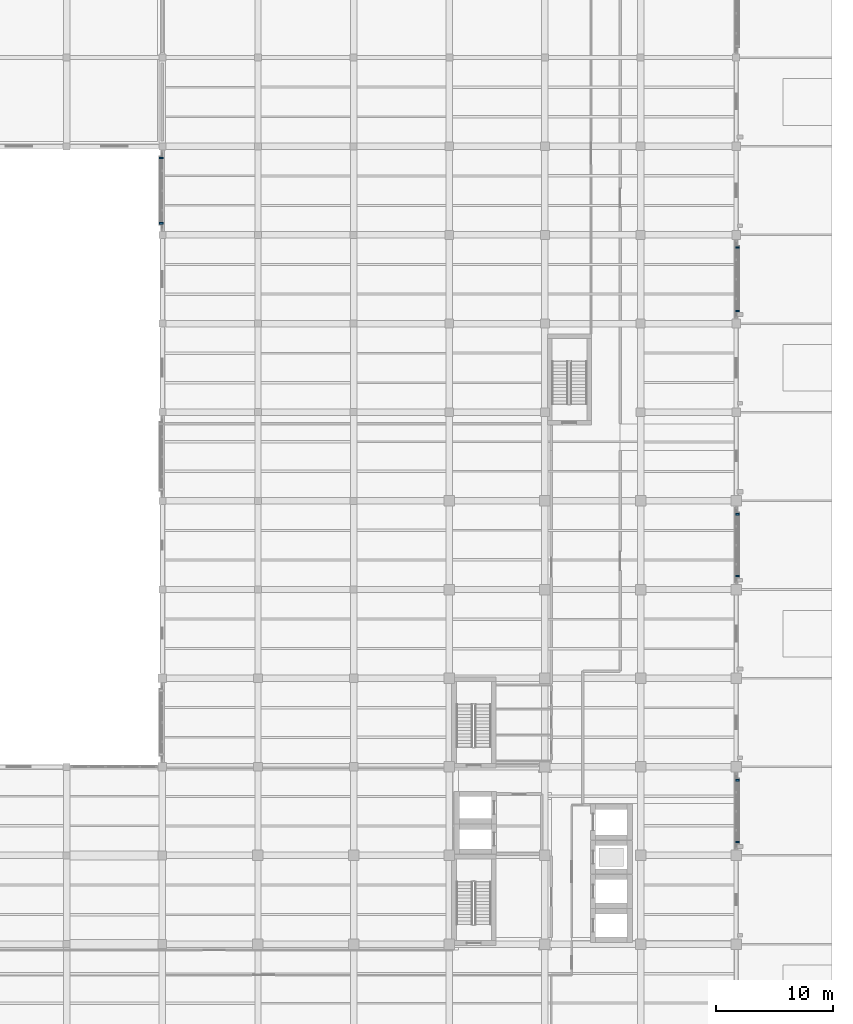
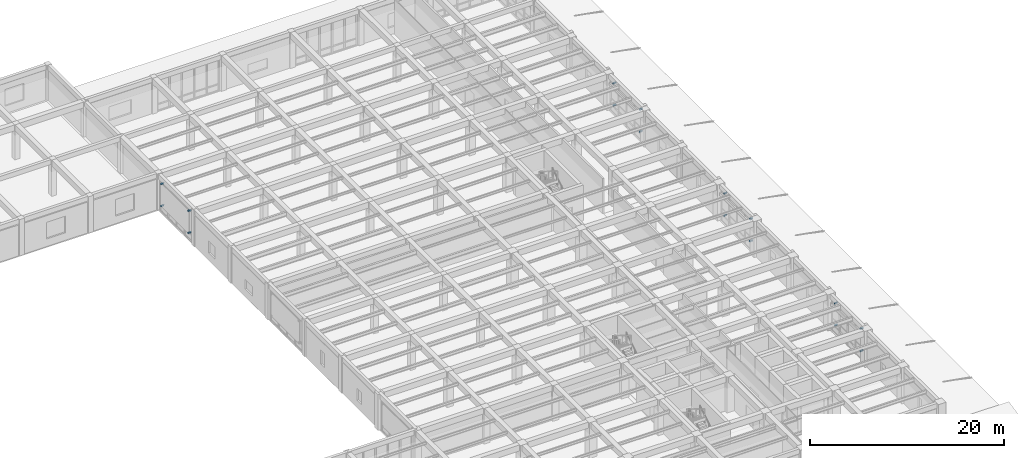
# One storey, part 48 of 57: 16 discrete accessories.
"""IFC4 building model written with IfcOpenShell, lengths in metres."""

from ifc_helpers import new_model, si_unit, direction, frame, origin, origin_2d, place, context, subcontext, project, spatial, rectangle, extrude, material, type_object, element, save


model = new_model("IFC4")

# Units and contexts
model_context = context("Model", 3, precision=1e-05, world=origin(), true_north=direction((0.0, 1.0)))
body_context = subcontext(model_context, "Body", "Model", "MODEL_VIEW")
ifc_project = project(units=[si_unit("LENGTHUNIT", "METRE"), si_unit("AREAUNIT", "SQUARE_METRE"), si_unit("VOLUMEUNIT", "CUBIC_METRE"), si_unit("PLANEANGLEUNIT", "RADIAN"), si_unit("MASSUNIT", "GRAM", prefix="KILO")], contexts=[model_context])

# Site, building, storey
site_placement = place(None, origin())
site = spatial("IfcSite", under=ifc_project, at=site_placement, CompositionType="ELEMENT")
building_placement = place(site_placement, origin())
building = spatial("IfcBuilding", under=site, at=building_placement, Name="Qandaris Square Conservatory and Botanical Centre", CompositionType="ELEMENT")
storey_placement = place(building_placement, frame((0.0, 0.0, 5.39990234375)))
storey = spatial("IfcBuildingStorey", under=building, at=storey_placement, Name="L01", CompositionType="ELEMENT", Elevation=5.39990234375)

# Discrete accessories
ifc_material = material(Name="Steel S355", Category="steel")
discrete_accessory_type = type_object("IfcDiscreteAccessoryType", Name="Mashrabiya Support Outrigger Bracket", PredefinedType="BRACKET", material=ifc_material)
for number, where, z_axis, x_axis, name in (
    (1, (163.909912109375, 32.949951171875, 0.900390625), (0.0, 0.0, 1.0), (0.0, 1.0, 0.0), "Mashrabiya Bracket CW-TWR-L01-2-3-BRK-6-64"),
    (2, (163.909912109375, 32.949951171875, 3.6953125), (0.0, 0.0, 1.0), (0.0, 1.0, 0.0), "Mashrabiya Bracket CW-TWR-L01-2-3-BRK-6-92"),
    (3, (163.909912109375, 38.25, 0.900390625), (0.0, 0.0, 1.0), (0.0, 1.0, 0.0), "Mashrabiya Bracket CW-TWR-L01-2-3-BRK-59-64"),
    (4, (163.909912109375, 38.25, 3.6953125), (0.0, 0.0, 1.0), (0.0, 1.0, 0.0), "Mashrabiya Bracket CW-TWR-L01-2-3-BRK-59-92"),
    (5, (163.909912109375, 55.75, 0.900390625), (0.0, 0.0, 1.0), (0.0, 1.0, 0.0), "Mashrabiya Bracket CW-TWR-L01-2-6-BRK-6-64"),
    (6, (163.909912109375, 55.75, 3.6953125), (0.0, 0.0, 1.0), (0.0, 1.0, 0.0), "Mashrabiya Bracket CW-TWR-L01-2-6-BRK-6-92"),
    (7, (163.909912109375, 61.050048828125, 0.900390625), (0.0, 0.0, 1.0), (0.0, 1.0, 0.0), "Mashrabiya Bracket CW-TWR-L01-2-6-BRK-59-64"),
    (8, (163.909912109375, 61.050048828125, 3.6953125), (0.0, 0.0, 1.0), (0.0, 1.0, 0.0), "Mashrabiya Bracket CW-TWR-L01-2-6-BRK-59-92"),
    (9, (163.909912109375, 78.47509765625, 0.900390625), (0.0, 0.0, 1.0), (0.0, 1.0, 0.0), "Mashrabiya Bracket CW-TWR-L01-2-9-BRK-6-64"),
    (10, (163.909912109375, 78.47509765625, 3.6953125), (0.0, 0.0, 1.0), (0.0, 1.0, 0.0), "Mashrabiya Bracket CW-TWR-L01-2-9-BRK-6-92"),
    (11, (163.909912109375, 83.925048828125, 0.900390625), (0.0, 0.0, 1.0), (0.0, 1.0, 0.0), "Mashrabiya Bracket CW-TWR-L01-2-9-BRK-61-64"),
    (12, (163.909912109375, 83.925048828125, 3.6953125), (0.0, 0.0, 1.0), (0.0, 1.0, 0.0), "Mashrabiya Bracket CW-TWR-L01-2-9-BRK-61-92"),
    (13, (114.489990234375, 91.60009765625, 0.900390625), (0.0, 0.0, 1.0), (0.0, -1.0, 0.0), "Mashrabiya Bracket CW-TWR-L01-4-3-BRK-6-64"),
    (14, (114.489990234375, 91.60009765625, 3.669921875), (0.0, 0.0, 1.0), (0.0, -1.0, 0.0), "Mashrabiya Bracket CW-TWR-L01-4-3-BRK-6-91"),
    (15, (114.489990234375, 86.0, 0.900390625), (0.0, 0.0, 1.0), (0.0, -1.0, 0.0), "Mashrabiya Bracket CW-TWR-L01-4-3-BRK-62-64"),
    (16, (114.489990234375, 86.0, 3.669921875), (0.0, 0.0, 1.0), (0.0, -1.0, 0.0), "Mashrabiya Bracket CW-TWR-L01-4-3-BRK-62-91"),
):
    element("IfcDiscreteAccessory", number, at=place(storey_placement, frame(where, z_axis=z_axis, x_axis=x_axis)), inside=storey, type_object=discrete_accessory_type, Name=name, PredefinedType="BRACKET", context=body_context, shape_type="SweptSolid", body=[
        extrude(rectangle(XDim=0.139892578125, YDim=0.340087890625, at=origin_2d()), origin(), (0.0, 0.0, 1.0), 0.139892578125),
    ])

save(model, "model.ifc")
